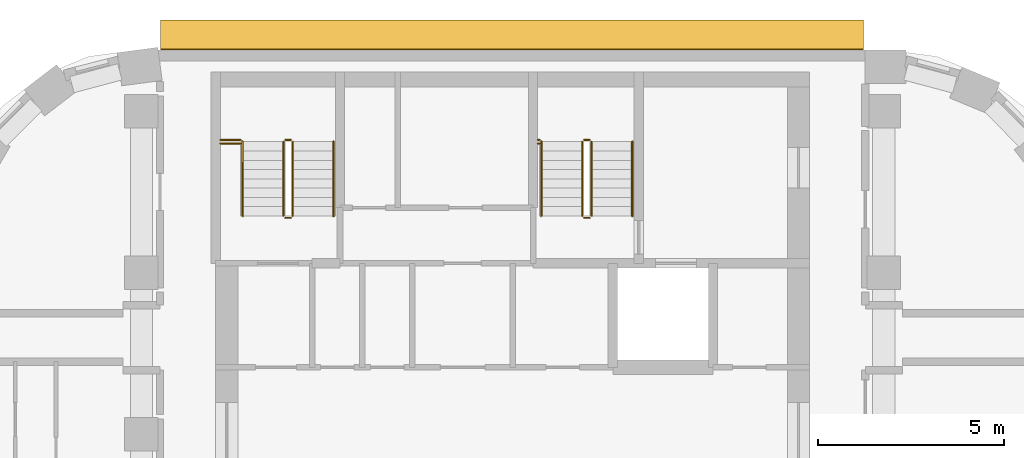
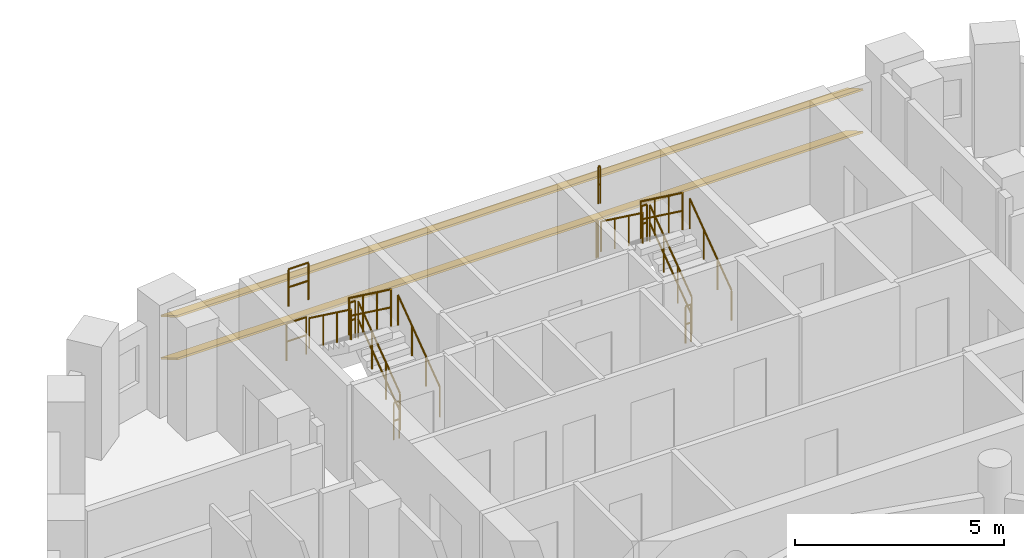
# One storey, part 14 of 14: 16 railings, 2 shading devices.
"""IFC4 building model written with IfcOpenShell, lengths in metres."""

from ifc_helpers import new_model, si_unit, direction, frame, origin, origin_2d, place, context, subcontext, project, spatial, rectangle, circle, extrude, material, material_profile, profile_set, type_object, element, save


model = new_model("IFC4")

# Units and contexts
model_context = context("Model", 3, precision=1e-05, world=origin(), true_north=direction((0.0, 1.0)))
body_context = subcontext(model_context, "Body", "Model", "MODEL_VIEW")
ifc_project = project(units=[si_unit("LENGTHUNIT", "METRE"), si_unit("AREAUNIT", "SQUARE_METRE"), si_unit("VOLUMEUNIT", "CUBIC_METRE"), si_unit("PLANEANGLEUNIT", "RADIAN"), si_unit("MASSUNIT", "GRAM", prefix="KILO")], contexts=[model_context])

# Site, building, storey
site_placement = place(None, origin())
site = spatial("IfcSite", under=ifc_project, at=site_placement, CompositionType="ELEMENT")
building_placement = place(site_placement, origin())
building = spatial("IfcBuilding", under=site, at=building_placement, Name="Nakaniwa Court", CompositionType="ELEMENT")
storey_placement = place(building_placement, frame((0.0, 0.0, 262.5)))
storey = spatial("IfcBuildingStorey", under=building, at=storey_placement, Name="L69", CompositionType="ELEMENT", Elevation=262.5)

# Shading devices
ifc_material_1 = material(Name="Perforated charcoal ceramic louvre blade")
ifc_material_profile = material_profile(ifc_material_1, rectangle(XDim=0.89990234375, YDim=0.050048828125, at=origin_2d()), Name="Perforated ceramic louvre blade")
ifc_profile_set = profile_set([ifc_material_profile], Name="Perforated charcoal ceramic louvre blade")
shading_device_type = type_object("IfcShadingDeviceType", Name="Perforated ceramic louvre blade", PredefinedType="JALOUSIE", material=ifc_profile_set)
for number, where, z_axis, x_axis, name in (
    (1, (89.44921875, 103.05224609375, 0.550048828125), (-1.0, 0.0, 0.0), (0.0, -0.866025403784, 0.5), "L69 perforated ceramic louvre blade w08 1"),
    (2, (89.44921875, 103.05224609375, 1.793212890625), (-1.0, 0.0, 0.0), (0.0, -0.866025403784, 0.5), "L69 perforated ceramic louvre blade w08 2"),
):
    element("IfcShadingDevice", number, at=place(storey_placement, frame(where, z_axis=z_axis, x_axis=x_axis)), inside=storey, type_object=shading_device_type, Name=name, PredefinedType="JALOUSIE", context=body_context, shape_type="SweptSolid", body=[
        extrude(rectangle(XDim=0.89990234375, YDim=0.050048828125, at=origin_2d()), origin(), (0.0, 0.0, 1.0), 18.933349609375),
    ])

# Railings
ifc_material_2 = material(Name="Black powder coated steel guard", Category="steel")
railing_type_1 = type_object("IfcRailingType", Name="Stair guard 1100", PredefinedType="GUARDRAIL", material=ifc_material_2)
railing_1_placement = place(storey_placement, frame((74.074951171875, 98.175048828125, 0.183349609375)))
element("IfcRailing", 3, at=railing_1_placement, inside=storey, type_object=railing_type_1, Name="L69 ST1 stair guard 1", PredefinedType="GUARDRAIL", context=body_context, shape_type="SweptSolid", body=[
    extrude(circle(Radius=0.02392578125, at=origin_2d()), frame((0.0, 0.0, 1.076171875), z_axis=(0.0, 0.806426902644, 0.591333789573), x_axis=(-1.0, 0.0, 0.0)), (0.0, 0.0, 1.0), 2.47998046875),
    extrude(circle(Radius=0.02392578125, at=origin_2d()), frame((0.0, 0.0, 0.550048828125), z_axis=(0.0, 0.806426902644, 0.591333789573), x_axis=(-1.0, 0.0, 0.0)), (0.0, 0.0, 1.0), 2.47998046875),
    extrude(circle(Radius=0.02099609375, at=origin_2d()), origin(), (0.0, 0.0, 1.0), 1.052001953125),
    extrude(circle(Radius=0.02099609375, at=origin_2d()), frame((0.0, 0.666748046875, 0.48876953125)), (0.0, 0.0, 1.0), 1.052001953125),
    extrude(circle(Radius=0.02099609375, at=origin_2d()), frame((0.0, 1.333251953125, 0.977783203125)), (0.0, 0.0, 1.0), 1.052001953125),
    extrude(circle(Radius=0.02099609375, at=origin_2d()), frame((0.0, 2.0, 1.466552734375)), (0.0, 0.0, 1.0), 1.052001953125),
])
railing_2_placement = place(storey_placement, frame((74.02490234375, 100.22509765625, 1.64990234375)))
element("IfcRailing", 4, at=railing_2_placement, inside=storey, type_object=railing_type_1, Name="L69 ST1 stair guard 2", PredefinedType="GUARDRAIL", context=body_context, shape_type="SweptSolid", body=[
    extrude(circle(Radius=0.02392578125, at=origin_2d()), frame((0.0, 0.0, 1.076171875), z_axis=(-1.0, 0.0, 0.0), x_axis=(0.0, -1.0, 0.0)), (0.0, 0.0, 1.0), 0.14990234375),
    extrude(circle(Radius=0.02392578125, at=origin_2d()), frame((0.0, 0.0, 0.550048828125), z_axis=(-1.0, 0.0, 0.0), x_axis=(0.0, -1.0, 0.0)), (0.0, 0.0, 1.0), 0.14990234375),
    extrude(circle(Radius=0.02099609375, at=origin_2d()), origin(), (0.0, 0.0, 1.0), 1.052001953125),
    extrude(circle(Radius=0.02099609375, at=origin_2d()), frame((-0.14990234375, 0.0, 0.0)), (0.0, 0.0, 1.0), 1.052001953125),
])
railing_3_placement = place(storey_placement, frame((73.824951171875, 100.175048828125, 1.833251953125)))
element("IfcRailing", 5, at=railing_3_placement, inside=storey, type_object=railing_type_1, Name="L69 ST1 stair guard 3", PredefinedType="GUARDRAIL", context=body_context, shape_type="SweptSolid", body=[
    extrude(circle(Radius=0.02392578125, at=origin_2d()), frame((0.0, 0.0, 1.076171875), z_axis=(0.0, -0.806379959628, 0.591397802423), x_axis=(1.0, 0.0, 0.0)), (0.0, 0.0, 1.0), 2.480224609375),
    extrude(circle(Radius=0.02392578125, at=origin_2d()), frame((0.0, 0.0, 0.550048828125), z_axis=(0.0, -0.806379959628, 0.591397802423), x_axis=(1.0, 0.0, 0.0)), (0.0, 0.0, 1.0), 2.480224609375),
    extrude(circle(Radius=0.02099609375, at=origin_2d()), origin(), (0.0, 0.0, 1.0), 1.052001953125),
    extrude(circle(Radius=0.02099609375, at=origin_2d()), frame((0.0, -0.666748046875, 0.489013671875)), (0.0, 0.0, 1.0), 1.052001953125),
    extrude(circle(Radius=0.02099609375, at=origin_2d()), frame((0.0, -1.333251953125, 0.977783203125)), (0.0, 0.0, 1.0), 1.052001953125),
    extrude(circle(Radius=0.02099609375, at=origin_2d()), frame((0.0, -2.0, 1.466796875)), (0.0, 0.0, 1.0), 1.052001953125),
])
railing_4_placement = place(storey_placement, frame((74.02490234375, 98.125, 0.0)))
element("IfcRailing", 6, at=railing_4_placement, inside=storey, type_object=railing_type_1, Name="L69 ST1 stair guard 4", PredefinedType="GUARDRAIL", context=body_context, shape_type="SweptSolid", body=[
    extrude(circle(Radius=0.02392578125, at=origin_2d()), frame((0.0, 0.0, 1.076171875), z_axis=(-1.0, 0.0, 0.0), x_axis=(0.0, -1.0, 0.0)), (0.0, 0.0, 1.0), 0.14990234375),
    extrude(circle(Radius=0.02392578125, at=origin_2d()), frame((0.0, 0.0, 0.550048828125), z_axis=(-1.0, 0.0, 0.0), x_axis=(0.0, -1.0, 0.0)), (0.0, 0.0, 1.0), 0.14990234375),
    extrude(circle(Radius=0.02099609375, at=origin_2d()), origin(), (0.0, 0.0, 1.0), 1.052001953125),
    extrude(circle(Radius=0.02099609375, at=origin_2d()), frame((-0.14990234375, 0.0, 0.0)), (0.0, 0.0, 1.0), 1.052001953125),
])
for number, where, name in (
    (7, (72.125, 100.22509765625, 1.64990234375), "L69 ST1 landing side guard 1W"),
    (8, (72.125, 100.125, 3.300048828125), "L69 ST1 floor edge guard 1W"),
):
    element("IfcRailing", number, at=place(storey_placement, frame(where)), inside=storey, type_object=railing_type_1, Name=name, PredefinedType="GUARDRAIL", context=body_context, shape_type="SweptSolid", body=[
        extrude(circle(Radius=0.02392578125, at=origin_2d()), frame((0.0, 0.0, 1.076171875), z_axis=(1.0, 0.0, 0.0), x_axis=(0.0, 1.0, 0.0)), (0.0, 0.0, 1.0), 0.550048828125),
        extrude(circle(Radius=0.02392578125, at=origin_2d()), frame((0.0, 0.0, 0.550048828125), z_axis=(1.0, 0.0, 0.0), x_axis=(0.0, 1.0, 0.0)), (0.0, 0.0, 1.0), 0.550048828125),
        extrude(circle(Radius=0.02099609375, at=origin_2d()), origin(), (0.0, 0.0, 1.0), 1.052001953125),
        extrude(circle(Radius=0.02099609375, at=origin_2d()), frame((0.550048828125, 0.0, 0.0)), (0.0, 0.0, 1.0), 1.052001953125),
    ])
railing_5_placement = place(storey_placement, frame((82.125, 98.175048828125, 0.183349609375)))
element("IfcRailing", 9, at=railing_5_placement, inside=storey, type_object=railing_type_1, Name="L69 ST2 stair guard 1", PredefinedType="GUARDRAIL", context=body_context, shape_type="SweptSolid", body=[
    extrude(circle(Radius=0.02392578125, at=origin_2d()), frame((0.0, 0.0, 1.076171875), z_axis=(0.0, 0.806426902644, 0.591333789573), x_axis=(-1.0, 0.0, 0.0)), (0.0, 0.0, 1.0), 2.47998046875),
    extrude(circle(Radius=0.02392578125, at=origin_2d()), frame((0.0, 0.0, 0.550048828125), z_axis=(0.0, 0.806426902644, 0.591333789573), x_axis=(-1.0, 0.0, 0.0)), (0.0, 0.0, 1.0), 2.47998046875),
    extrude(circle(Radius=0.02099609375, at=origin_2d()), origin(), (0.0, 0.0, 1.0), 1.052001953125),
    extrude(circle(Radius=0.02099609375, at=origin_2d()), frame((0.0, 0.666748046875, 0.48876953125)), (0.0, 0.0, 1.0), 1.052001953125),
    extrude(circle(Radius=0.02099609375, at=origin_2d()), frame((0.0, 1.333251953125, 0.977783203125)), (0.0, 0.0, 1.0), 1.052001953125),
    extrude(circle(Radius=0.02099609375, at=origin_2d()), frame((0.0, 2.0, 1.466552734375)), (0.0, 0.0, 1.0), 1.052001953125),
])
railing_6_placement = place(storey_placement, frame((82.074951171875, 100.22509765625, 1.64990234375)))
element("IfcRailing", 10, at=railing_6_placement, inside=storey, type_object=railing_type_1, Name="L69 ST2 stair guard 2", PredefinedType="GUARDRAIL", context=body_context, shape_type="SweptSolid", body=[
    extrude(circle(Radius=0.02392578125, at=origin_2d()), frame((0.0, 0.0, 1.076171875), z_axis=(-1.0, 0.0, 0.0), x_axis=(0.0, -1.0, 0.0)), (0.0, 0.0, 1.0), 0.14990234375),
    extrude(circle(Radius=0.02392578125, at=origin_2d()), frame((0.0, 0.0, 0.550048828125), z_axis=(-1.0, 0.0, 0.0), x_axis=(0.0, -1.0, 0.0)), (0.0, 0.0, 1.0), 0.14990234375),
    extrude(circle(Radius=0.02099609375, at=origin_2d()), origin(), (0.0, 0.0, 1.0), 1.052001953125),
    extrude(circle(Radius=0.02099609375, at=origin_2d()), frame((-0.14990234375, 0.0, 0.0)), (0.0, 0.0, 1.0), 1.052001953125),
])
railing_7_placement = place(storey_placement, frame((81.875, 100.175048828125, 1.833251953125)))
element("IfcRailing", 11, at=railing_7_placement, inside=storey, type_object=railing_type_1, Name="L69 ST2 stair guard 3", PredefinedType="GUARDRAIL", context=body_context, shape_type="SweptSolid", body=[
    extrude(circle(Radius=0.02392578125, at=origin_2d()), frame((0.0, 0.0, 1.076171875), z_axis=(0.0, -0.806379959628, 0.591397802423), x_axis=(1.0, 0.0, 0.0)), (0.0, 0.0, 1.0), 2.480224609375),
    extrude(circle(Radius=0.02392578125, at=origin_2d()), frame((0.0, 0.0, 0.550048828125), z_axis=(0.0, -0.806379959628, 0.591397802423), x_axis=(1.0, 0.0, 0.0)), (0.0, 0.0, 1.0), 2.480224609375),
    extrude(circle(Radius=0.02099609375, at=origin_2d()), origin(), (0.0, 0.0, 1.0), 1.052001953125),
    extrude(circle(Radius=0.02099609375, at=origin_2d()), frame((0.0, -0.666748046875, 0.489013671875)), (0.0, 0.0, 1.0), 1.052001953125),
    extrude(circle(Radius=0.02099609375, at=origin_2d()), frame((0.0, -1.333251953125, 0.977783203125)), (0.0, 0.0, 1.0), 1.052001953125),
    extrude(circle(Radius=0.02099609375, at=origin_2d()), frame((0.0, -2.0, 1.466796875)), (0.0, 0.0, 1.0), 1.052001953125),
])
railing_8_placement = place(storey_placement, frame((82.074951171875, 98.125, 0.0)))
element("IfcRailing", 12, at=railing_8_placement, inside=storey, type_object=railing_type_1, Name="L69 ST2 stair guard 4", PredefinedType="GUARDRAIL", context=body_context, shape_type="SweptSolid", body=[
    extrude(circle(Radius=0.02392578125, at=origin_2d()), frame((0.0, 0.0, 1.076171875), z_axis=(-1.0, 0.0, 0.0), x_axis=(0.0, -1.0, 0.0)), (0.0, 0.0, 1.0), 0.14990234375),
    extrude(circle(Radius=0.02392578125, at=origin_2d()), frame((0.0, 0.0, 0.550048828125), z_axis=(-1.0, 0.0, 0.0), x_axis=(0.0, -1.0, 0.0)), (0.0, 0.0, 1.0), 0.14990234375),
    extrude(circle(Radius=0.02099609375, at=origin_2d()), origin(), (0.0, 0.0, 1.0), 1.052001953125),
    extrude(circle(Radius=0.02099609375, at=origin_2d()), frame((-0.14990234375, 0.0, 0.0)), (0.0, 0.0, 1.0), 1.052001953125),
])
for number, where, name in (
    (13, (80.675048828125, 100.22509765625, 1.64990234375), "L69 ST2 landing side guard 1W"),
    (14, (80.675048828125, 100.125, 3.300048828125), "L69 ST2 floor edge guard 1W"),
):
    element("IfcRailing", number, at=place(storey_placement, frame(where)), inside=storey, type_object=railing_type_1, Name=name, PredefinedType="GUARDRAIL", context=body_context, shape_type="SweptSolid", body=[
        extrude(circle(Radius=0.02392578125, at=origin_2d()), frame((0.0, 0.0, 1.076171875), z_axis=(1.0, 0.0, 0.0), x_axis=(0.0, 1.0, 0.0)), (0.0, 0.0, 1.0), 0.050048828125),
        extrude(circle(Radius=0.02392578125, at=origin_2d()), frame((0.0, 0.0, 0.550048828125), z_axis=(1.0, 0.0, 0.0), x_axis=(0.0, 1.0, 0.0)), (0.0, 0.0, 1.0), 0.050048828125),
        extrude(circle(Radius=0.02099609375, at=origin_2d()), origin(), (0.0, 0.0, 1.0), 1.052001953125),
        extrude(circle(Radius=0.02099609375, at=origin_2d()), frame((0.050048828125, 0.0, 0.0)), (0.0, 0.0, 1.0), 1.052001953125),
    ])
ifc_material_3 = material(Name="Black powder coated steel handrail", Category="steel")
railing_type_2 = type_object("IfcRailingType", Name="Stair handrail 900", PredefinedType="HANDRAIL", material=ifc_material_3)
railing_9_placement = place(storey_placement, frame((75.175048828125, 98.175048828125, 0.183349609375)))
element("IfcRailing", 15, at=railing_9_placement, inside=storey, type_object=railing_type_2, Name="L69 ST1 stair handrail 1", PredefinedType="HANDRAIL", context=body_context, shape_type="SweptSolid", body=[
    extrude(circle(Radius=0.02392578125, at=origin_2d()), frame((0.0, 0.0, 0.8759765625), z_axis=(0.0, 0.806426902644, 0.591333789573), x_axis=(-1.0, 0.0, 0.0)), (0.0, 0.0, 1.0), 2.47998046875),
    extrude(circle(Radius=0.02099609375, at=origin_2d()), origin(), (0.0, 0.0, 1.0), 0.851806640625),
    extrude(circle(Radius=0.02099609375, at=origin_2d()), frame((0.0, 0.666748046875, 0.48876953125)), (0.0, 0.0, 1.0), 0.851806640625),
    extrude(circle(Radius=0.02099609375, at=origin_2d()), frame((0.0, 1.333251953125, 0.977783203125)), (0.0, 0.0, 1.0), 0.851806640625),
    extrude(circle(Radius=0.02099609375, at=origin_2d()), frame((0.0, 2.0, 1.466552734375)), (0.0, 0.0, 1.0), 0.851806640625),
])
railing_10_placement = place(storey_placement, frame((72.72509765625, 100.175048828125, 1.833251953125)))
element("IfcRailing", 16, at=railing_10_placement, inside=storey, type_object=railing_type_2, Name="L69 ST1 stair handrail 2", PredefinedType="HANDRAIL", context=body_context, shape_type="SweptSolid", body=[
    extrude(circle(Radius=0.02392578125, at=origin_2d()), frame((0.0, 0.0, 0.8759765625), z_axis=(0.0, -0.806379959628, 0.591397802423), x_axis=(1.0, 0.0, 0.0)), (0.0, 0.0, 1.0), 2.480224609375),
    extrude(circle(Radius=0.02099609375, at=origin_2d()), origin(), (0.0, 0.0, 1.0), 0.851806640625),
    extrude(circle(Radius=0.02099609375, at=origin_2d()), frame((0.0, -0.666748046875, 0.489013671875)), (0.0, 0.0, 1.0), 0.851806640625),
    extrude(circle(Radius=0.02099609375, at=origin_2d()), frame((0.0, -1.333251953125, 0.977783203125)), (0.0, 0.0, 1.0), 0.851806640625),
    extrude(circle(Radius=0.02099609375, at=origin_2d()), frame((0.0, -2.0, 1.466796875)), (0.0, 0.0, 1.0), 0.851806640625),
])
railing_11_placement = place(storey_placement, frame((83.22509765625, 98.175048828125, 0.183349609375)))
element("IfcRailing", 17, at=railing_11_placement, inside=storey, type_object=railing_type_2, Name="L69 ST2 stair handrail 1", PredefinedType="HANDRAIL", context=body_context, shape_type="SweptSolid", body=[
    extrude(circle(Radius=0.02392578125, at=origin_2d()), frame((0.0, 0.0, 0.8759765625), z_axis=(0.0, 0.806426902644, 0.591333789573), x_axis=(-1.0, 0.0, 0.0)), (0.0, 0.0, 1.0), 2.47998046875),
    extrude(circle(Radius=0.02099609375, at=origin_2d()), origin(), (0.0, 0.0, 1.0), 0.851806640625),
    extrude(circle(Radius=0.02099609375, at=origin_2d()), frame((0.0, 0.666748046875, 0.48876953125)), (0.0, 0.0, 1.0), 0.851806640625),
    extrude(circle(Radius=0.02099609375, at=origin_2d()), frame((0.0, 1.333251953125, 0.977783203125)), (0.0, 0.0, 1.0), 0.851806640625),
    extrude(circle(Radius=0.02099609375, at=origin_2d()), frame((0.0, 2.0, 1.466552734375)), (0.0, 0.0, 1.0), 0.851806640625),
])
railing_12_placement = place(storey_placement, frame((80.77490234375, 100.175048828125, 1.833251953125)))
element("IfcRailing", 18, at=railing_12_placement, inside=storey, type_object=railing_type_2, Name="L69 ST2 stair handrail 2", PredefinedType="HANDRAIL", context=body_context, shape_type="SweptSolid", body=[
    extrude(circle(Radius=0.02392578125, at=origin_2d()), frame((0.0, 0.0, 0.8759765625), z_axis=(0.0, -0.806379959628, 0.591397802423), x_axis=(1.0, 0.0, 0.0)), (0.0, 0.0, 1.0), 2.480224609375),
    extrude(circle(Radius=0.02099609375, at=origin_2d()), origin(), (0.0, 0.0, 1.0), 0.851806640625),
    extrude(circle(Radius=0.02099609375, at=origin_2d()), frame((0.0, -0.666748046875, 0.489013671875)), (0.0, 0.0, 1.0), 0.851806640625),
    extrude(circle(Radius=0.02099609375, at=origin_2d()), frame((0.0, -1.333251953125, 0.977783203125)), (0.0, 0.0, 1.0), 0.851806640625),
    extrude(circle(Radius=0.02099609375, at=origin_2d()), frame((0.0, -2.0, 1.466796875)), (0.0, 0.0, 1.0), 0.851806640625),
])

save(model, "model.ifc")
